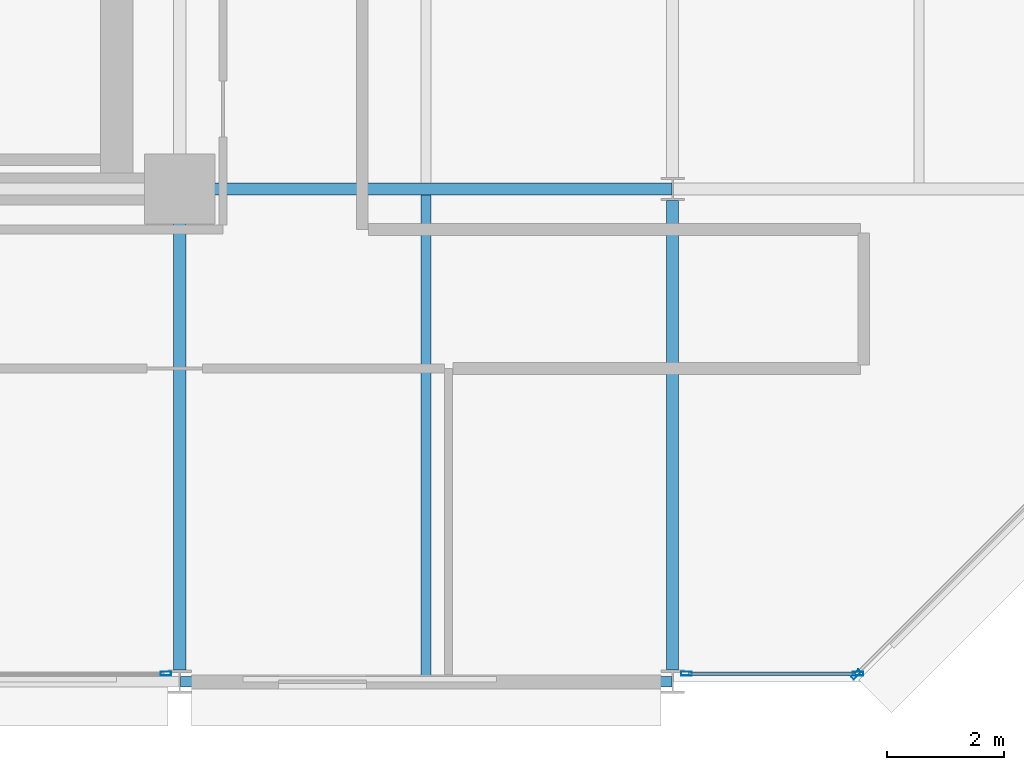
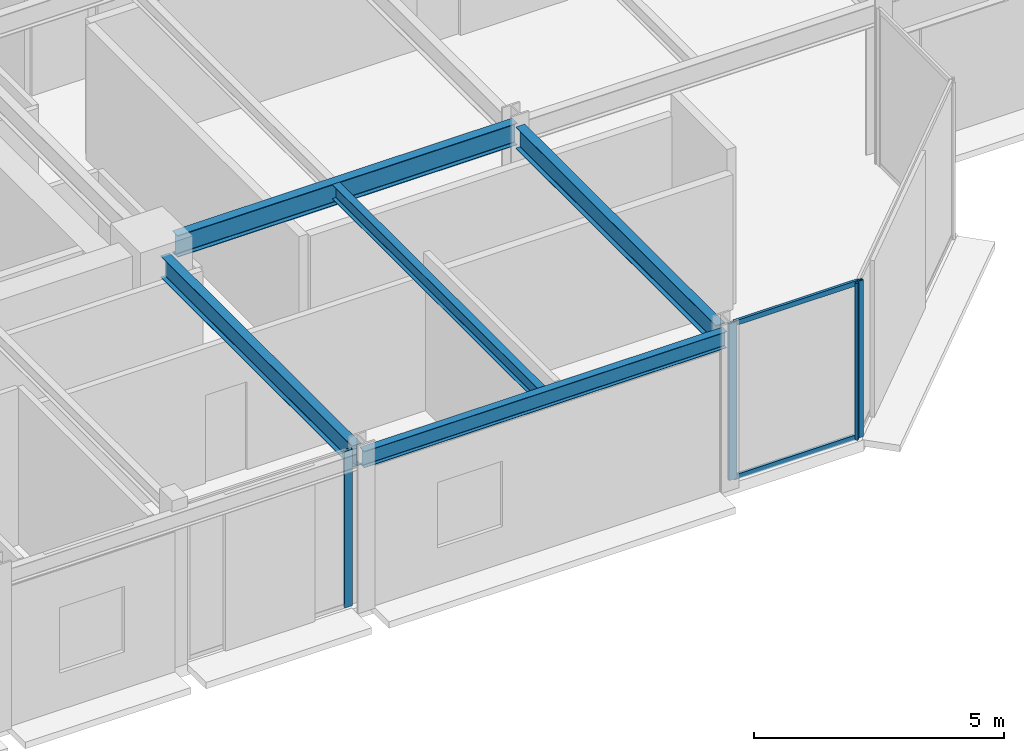
# One storey, part 16 of 39: 6 members, 5 beams, 3 elements without a shape of their own.
"""IFC4 building model written with IfcOpenShell, lengths in metres."""

from ifc_helpers import new_model, si_unit, direction, frame, origin, origin_2d, place, context, subcontext, project, spatial, hollow_rectangle, i_section, extrude, material, layer, layer_set, material_profile, profile_set, type_object, element, aggregate, save


model = new_model("IFC4")

# Units and contexts
model_context = context("Model", 3, precision=1e-05, world=origin(), true_north=direction((0.0, 1.0)))
body_context = subcontext(model_context, "Body", "Model", "MODEL_VIEW")
ifc_project = project(units=[si_unit("LENGTHUNIT", "METRE"), si_unit("AREAUNIT", "SQUARE_METRE"), si_unit("VOLUMEUNIT", "CUBIC_METRE"), si_unit("PLANEANGLEUNIT", "RADIAN"), si_unit("MASSUNIT", "GRAM", prefix="KILO")], contexts=[model_context])

# Site, building, storey
site_placement = place(None, origin())
site = spatial("IfcSite", under=ifc_project, at=site_placement, CompositionType="ELEMENT")
building_placement = place(site_placement, origin())
building = spatial("IfcBuilding", under=site, at=building_placement, Name="Nerrivon Quay Data Exchange", CompositionType="ELEMENT")
storey_placement = place(building_placement, frame((0.0, 0.0, 92.60009765625)))
storey = spatial("IfcBuildingStorey", under=building, at=storey_placement, Name="L21", CompositionType="ELEMENT", Elevation=92.60009765625)

# Beams
ifc_material_1 = material(Name="Steel Grade 350", Category="steel")
ifc_material_profile_1 = material_profile(ifc_material_1, i_section(OverallWidth=0.208984375, OverallDepth=0.532958984375, WebThickness=0.01025390625, FlangeThickness=0.015625, FilletRadius=0.013916015625, at=origin_2d()), Name="530UB92.4")
ifc_profile_set_1 = profile_set([ifc_material_profile_1], Name="Steel Grade 350")
beam_type_1 = type_object("IfcBeamType", Name="BM-G3-530UB92", PredefinedType="BEAM", material=ifc_profile_set_1)
beam_1_placement = place(storey_placement, frame((34.139892578125, 8.39990234375, 3.558349609375), z_axis=(1.0, 0.0, 0.0), x_axis=(0.0, 1.0, 0.0)))
element("IfcBeam", 1, at=beam_1_placement, inside=storey, type_object=beam_type_1, Name="L21 EW Girder Y=8.4 (33.6..42.0)", PredefinedType="BEAM", context=body_context, shape_type="SweptSolid", body=[
    extrude(i_section(OverallWidth=0.208984375, OverallDepth=0.532958984375, WebThickness=0.01025390625, FlangeThickness=0.015625, FilletRadius=0.013916015625, at=origin_2d()), origin(), (0.0, 0.0, 1.0), 7.84765625),
])
ifc_material_profile_2 = material_profile(ifc_material_1, i_section(OverallWidth=0.208984375, OverallDepth=0.528076171875, WebThickness=0.009521484375, FlangeThickness=0.01318359375, FilletRadius=0.013916015625, at=origin_2d()), Name="530UB82.0")
ifc_profile_set_2 = profile_set([ifc_material_profile_2], Name="Steel Grade 350")
beam_type_2 = type_object("IfcBeamType", Name="BM-G4-530UB82", PredefinedType="BEAM", material=ifc_profile_set_2)
beam_2_placement = place(storey_placement, frame((33.60009765625, 0.199951171875, 3.560791015625), z_axis=(0.0, 1.0, 0.0), x_axis=(-1.0, 0.0, 0.0)))
element("IfcBeam", 2, at=beam_2_placement, inside=storey, type_object=beam_type_2, Name="L21 NS Girder X=33.6 (0.0..8.4)", PredefinedType="BEAM", context=body_context, shape_type="SweptSolid", body=[
    extrude(i_section(OverallWidth=0.208984375, OverallDepth=0.528076171875, WebThickness=0.009521484375, FlangeThickness=0.01318359375, FilletRadius=0.013916015625, at=origin_2d()), origin(), (0.0, 0.0, 1.0), 7.66015625),
])
beam_3_placement = place(storey_placement, frame((42.0, 0.199951171875, 3.560791015625), z_axis=(0.0, 1.0, 0.0), x_axis=(-1.0, 0.0, 0.0)))
element("IfcBeam", 3, at=beam_3_placement, inside=storey, type_object=beam_type_2, Name="L21 NS Girder X=42.0 (0.0..8.4)", PredefinedType="BEAM", context=body_context, shape_type="SweptSolid", body=[
    extrude(i_section(OverallWidth=0.208984375, OverallDepth=0.528076171875, WebThickness=0.009521484375, FlangeThickness=0.01318359375, FilletRadius=0.013916015625, at=origin_2d()), origin(), (0.0, 0.0, 1.0), 8.0),
])
ifc_material_profile_3 = material_profile(ifc_material_1, i_section(OverallWidth=0.1708984375, OverallDepth=0.35595703125, WebThickness=0.00732421875, FlangeThickness=0.011474609375, FilletRadius=0.011474609375, at=origin_2d()), Name="360UB50.7")
ifc_profile_set_3 = profile_set([ifc_material_profile_3], Name="Steel Grade 350")
beam_type_3 = type_object("IfcBeamType", Name="BM-J4-360UB51", PredefinedType="JOIST", material=ifc_profile_set_3)
beam_4_placement = place(storey_placement, frame((37.800048828125, 0.089111328125, 3.64697265625), z_axis=(0.0, 1.0, 0.0), x_axis=(-1.0, 0.0, 0.0)))
element("IfcBeam", 4, at=beam_4_placement, inside=storey, type_object=beam_type_3, Name="L21 Secondary Joist X=37.8 (0.0..8.4)", PredefinedType="JOIST", context=body_context, shape_type="SweptSolid", body=[
    extrude(i_section(OverallWidth=0.1708984375, OverallDepth=0.35595703125, WebThickness=0.00732421875, FlangeThickness=0.011474609375, FilletRadius=0.011474609375, at=origin_2d()), origin(), (0.0, 0.0, 1.0), 8.206298828125),
])
ifc_material_profile_4 = material_profile(ifc_material_1, i_section(OverallWidth=0.177978515625, OverallDepth=0.403076171875, WebThickness=0.007568359375, FlangeThickness=0.010986328125, FilletRadius=0.011474609375, at=origin_2d()), Name="410UB53.7")
ifc_profile_set_4 = profile_set([ifc_material_profile_4], Name="Steel Grade 350")
beam_type_4 = type_object("IfcBeamType", Name="BM-SP2-410UB54", PredefinedType="SPANDREL", material=ifc_profile_set_4)
beam_5_placement = place(storey_placement, frame((33.612548828125, 0.0, 3.623291015625), z_axis=(1.0, 0.0, 0.0), x_axis=(0.0, 1.0, 0.0)))
element("IfcBeam", 5, at=beam_5_placement, inside=storey, type_object=beam_type_4, Name="L21 EW Girder Y=0.0 (33.6..42.0)", PredefinedType="SPANDREL", context=body_context, shape_type="SweptSolid", body=[
    extrude(i_section(OverallWidth=0.177978515625, OverallDepth=0.403076171875, WebThickness=0.007568359375, FlangeThickness=0.010986328125, FilletRadius=0.011474609375, at=origin_2d()), origin(), (0.0, 0.0, 1.0), 8.375),
])

# Curtain wall, member
ifc_material_2 = material(Name="Anodised aluminium 6063-T6", Category="aluminium")
ifc_layer = layer(ifc_material_2, 0.2099609375)
ifc_layer_set = layer_set([ifc_layer], Name="Anodised aluminium 6063-T6")
curtain_wall_type = type_object("IfcCurtainWallType", Name="CW-SYS-02", PredefinedType="NOTDEFINED", material=ifc_layer_set)
curtain_wall_1_placement = place(storey_placement, origin())
curtain_wall_1 = element("IfcCurtainWall", 6, at=curtain_wall_1_placement, inside=storey, type_object=curtain_wall_type, Name="L21 Unitised Curtain Wall 5", PredefinedType="NOTDEFINED")
ifc_material_profile_5 = material_profile(ifc_material_2, hollow_rectangle(XDim=0.06494140625, YDim=0.179931640625, WallThickness=0.00341796875, at=origin_2d()), Name="ALU-MULL-180x65")
ifc_profile_set_5 = profile_set([ifc_material_profile_5], Name="Anodised aluminium 6063-T6")
member_type_1 = type_object("IfcMemberType", Name="CWM-180x65", PredefinedType="MULLION", material=ifc_profile_set_5)
member_1_placement = place(storey_placement, frame((45.12744140625, 0.12548828125, 0.0), z_axis=(0.0, 0.0, 1.0), x_axis=(0.707106781187, -0.707106781187, 0.0)))
member_1 = element("IfcMember", 7, at=member_1_placement, type_object=member_type_1, Name="CW02 mullion 2", PredefinedType="MULLION", context=body_context, shape_type="SweptSolid", body=[
    extrude(hollow_rectangle(XDim=0.06494140625, YDim=0.179931640625, WallThickness=0.00341796875, at=origin_2d()), origin(), (0.0, 0.0, 1.0), 3.824951171875),
])
aggregate(curtain_wall_1, [member_1])

# Curtain wall, members
curtain_wall_2_placement = place(storey_placement, origin())
curtain_wall_2 = element("IfcCurtainWall", 8, at=curtain_wall_2_placement, inside=storey, type_object=curtain_wall_type, Name="L21 Unitised Curtain Wall 6", PredefinedType="NOTDEFINED")
member_2_placement = place(storey_placement, frame((45.16259765625, 0.139892578125, 0.0), z_axis=(0.0, 0.0, 1.0), x_axis=(0.0, -1.0, 0.0)))
member_2 = element("IfcMember", 9, at=member_2_placement, type_object=member_type_1, Name="CW02 mullion 1", PredefinedType="MULLION", context=body_context, shape_type="SweptSolid", body=[
    extrude(hollow_rectangle(XDim=0.06494140625, YDim=0.179931640625, WallThickness=0.00341796875, at=origin_2d()), origin(), (0.0, 0.0, 1.0), 3.824951171875),
])
member_3_placement = place(storey_placement, frame((42.237548828125, 0.139892578125, 0.0), z_axis=(0.0, 0.0, 1.0), x_axis=(0.0, -1.0, 0.0)))
member_3 = element("IfcMember", 10, at=member_3_placement, type_object=member_type_1, Name="CW02 mullion 2", PredefinedType="MULLION", context=body_context, shape_type="SweptSolid", body=[
    extrude(hollow_rectangle(XDim=0.06494140625, YDim=0.179931640625, WallThickness=0.00341796875, at=origin_2d()), origin(), (0.0, 0.0, 1.0), 3.824951171875),
])

# Curtain wall, member
curtain_wall_3_placement = place(storey_placement, origin())
curtain_wall_3 = element("IfcCurtainWall", 11, at=curtain_wall_3_placement, inside=storey, type_object=curtain_wall_type, Name="L21 Unitised Curtain Wall 8", PredefinedType="NOTDEFINED")
member_4_placement = place(storey_placement, frame((33.362548828125, 0.139892578125, 0.0), z_axis=(0.0, 0.0, 1.0), x_axis=(0.0, -1.0, 0.0)))
member_4 = element("IfcMember", 12, at=member_4_placement, type_object=member_type_1, Name="CW02 mullion 1", PredefinedType="MULLION", context=body_context, shape_type="SweptSolid", body=[
    extrude(hollow_rectangle(XDim=0.06494140625, YDim=0.179931640625, WallThickness=0.00341796875, at=origin_2d()), origin(), (0.0, 0.0, 1.0), 3.824951171875),
])
aggregate(curtain_wall_3, [member_4])

# Member
ifc_material_profile_6 = material_profile(ifc_material_2, hollow_rectangle(XDim=0.06005859375, YDim=0.1201171875, WallThickness=0.003173828125, at=origin_2d()), Name="ALU-TRAN-120x60")
ifc_profile_set_6 = profile_set([ifc_material_profile_6], Name="Anodised aluminium 6063-T6")
member_type_2 = type_object("IfcMemberType", Name="CWT-120x60", PredefinedType="USERDEFINED", material=ifc_profile_set_6)
member_5_placement = place(storey_placement, frame((45.125, 0.139892578125, 0.032470703125), z_axis=(-1.0, 0.0, 0.0), x_axis=(0.0, -1.0, 0.0)))
member_5 = element("IfcMember", 13, at=member_5_placement, type_object=member_type_2, Name="CW02 transom 1.1", ObjectType="TRANSOM", PredefinedType="USERDEFINED", context=body_context, shape_type="SweptSolid", body=[
    extrude(hollow_rectangle(XDim=0.06005859375, YDim=0.1201171875, WallThickness=0.003173828125, at=origin_2d()), origin(), (0.0, 0.0, 1.0), 2.85009765625),
])

member_6_placement = place(storey_placement, frame((45.125, 0.139892578125, 3.79248046875), z_axis=(-1.0, 0.0, 0.0), x_axis=(0.0, -1.0, 0.0)))
member_6 = element("IfcMember", 14, at=member_6_placement, type_object=member_type_2, Name="CW02 transom 1.2", ObjectType="TRANSOM", PredefinedType="USERDEFINED", context=body_context, shape_type="SweptSolid", body=[
    extrude(hollow_rectangle(XDim=0.06005859375, YDim=0.1201171875, WallThickness=0.003173828125, at=origin_2d()), origin(), (0.0, 0.0, 1.0), 2.85009765625),
])

aggregate(curtain_wall_2, [member_2, member_3, member_5, member_6])

save(model, "model.ifc")
